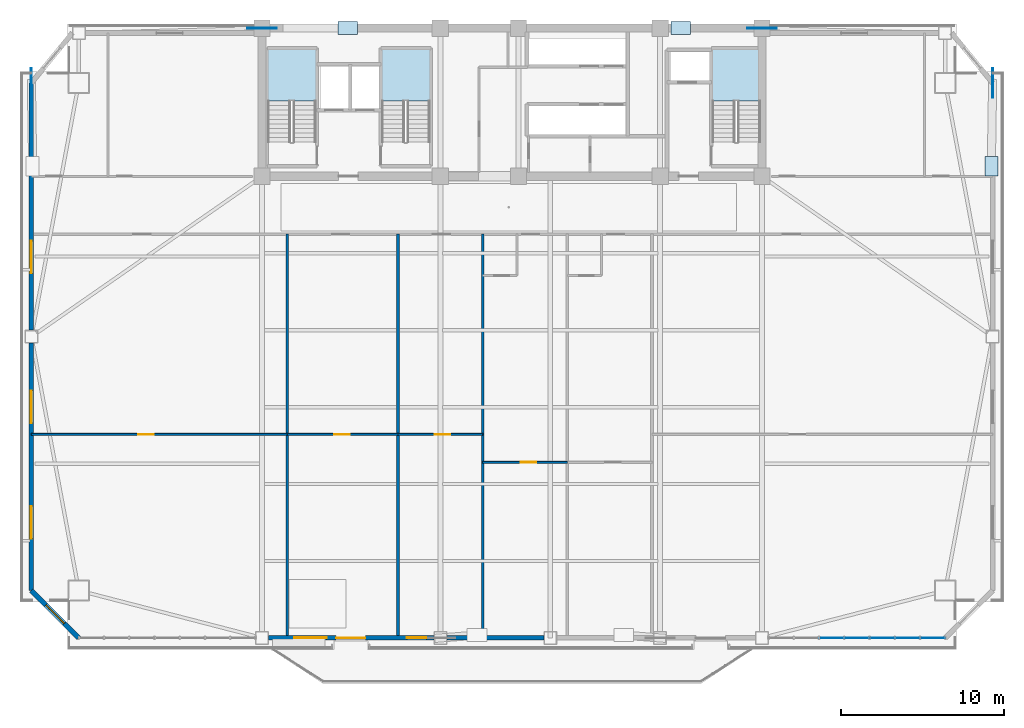
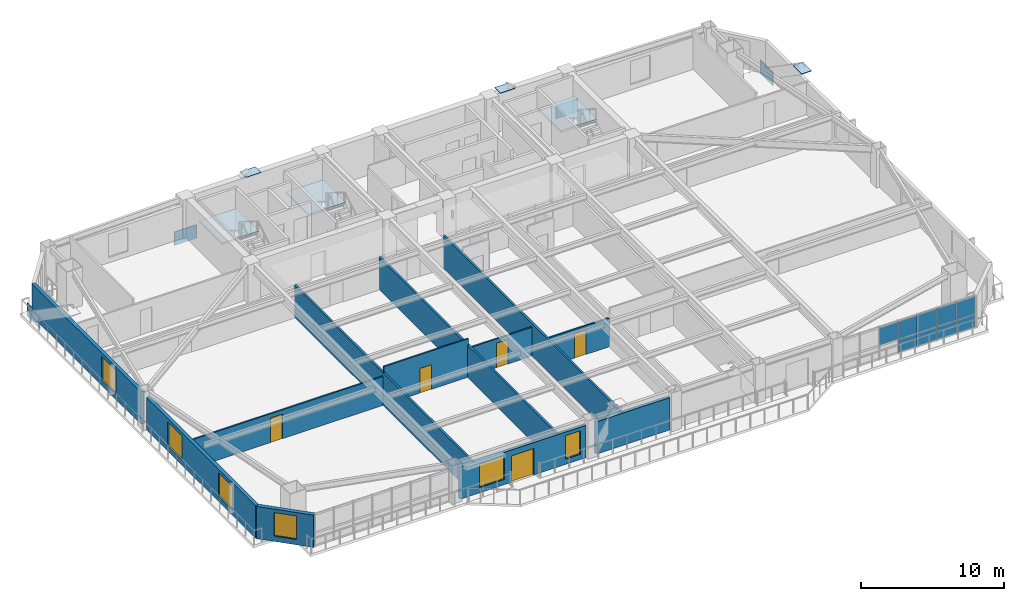
# One storey, part 7 of 16: 16 plates, 12 walls, 6 windows, 5 doors, 3 slabs, 11 openings, 4 elements without a shape of their own.
"""IFC4 building model written with IfcOpenShell, lengths in metres."""

from ifc_helpers import new_model, si_unit, direction, frame, frame_2d, origin, origin_2d, place, context, subcontext, project, spatial, polyline, rectangle, outline, extrude, source, transform, mapped, material, layer, layer_set, type_object, element, fill, aggregate, save


model = new_model("IFC4")

# Units and contexts
model_context = context("Model", 3, precision=1e-05, world=origin(), true_north=direction((0.0, 1.0)))
body_context = subcontext(model_context, "Body", "Model", "MODEL_VIEW")
ifc_project = project(units=[si_unit("LENGTHUNIT", "METRE"), si_unit("AREAUNIT", "SQUARE_METRE"), si_unit("VOLUMEUNIT", "CUBIC_METRE"), si_unit("PLANEANGLEUNIT", "RADIAN"), si_unit("MASSUNIT", "GRAM", prefix="KILO")], contexts=[model_context])

# Site, building, storey
site_placement = place(None, origin())
site = spatial("IfcSite", under=ifc_project, at=site_placement, CompositionType="ELEMENT")
building_placement = place(site_placement, origin())
building = spatial("IfcBuilding", under=site, at=building_placement, Name="Giltprow Tower", CompositionType="ELEMENT")
storey_placement = place(building_placement, frame((0.0, 0.0, 159.699951171875)))
storey = spatial("IfcBuildingStorey", under=building, at=storey_placement, Name="L39", CompositionType="ELEMENT", Elevation=159.699951171875)

# Stair, slab
ifc_material_1 = material(Name="Concrete C40", Category="concrete")
stair_type_1 = type_object("IfcStairType", Name="STR-ST-1", PredefinedType="HALF_TURN_STAIR", material=ifc_material_1)
stair_1_placement = place(storey_placement, origin())
stair_1 = element("IfcStair", 1, at=stair_1_placement, inside=storey, type_object=stair_type_1, Name="L39 Core Exit Stair ST-1", PredefinedType="HALF_TURN_STAIR")
ifc_layer_1 = layer(ifc_material_1, 0.179931640625, Name="Concrete C40")
ifc_layer_set_1 = layer_set([ifc_layer_1], Name="Concrete C40")
slab_type_1 = type_object("IfcSlabType", Name="SLD-ST-1", PredefinedType="LANDING", material=ifc_layer_set_1)
slab_1_placement = place(storey_placement, frame((0.0, 0.0, 1.570068359375)))
slab_1 = element("IfcSlab", 2, at=slab_1_placement, type_object=slab_type_1, Name="ST-1 landing 1", PredefinedType="LANDING", context=body_context, shape_type="SweptSolid", body=[
    extrude(outline(polyline([(23.159912109375, 42.070068359375), (23.159912109375, 45.25), (20.199951171875, 45.25), (20.199951171875, 42.070068359375), (23.159912109375, 42.070068359375)])), origin(), (0.0, 0.0, 1.0), 0.179931640625),
])
aggregate(stair_1, [slab_1])

stair_type_2 = type_object("IfcStairType", Name="STR-ST-2", PredefinedType="HALF_TURN_STAIR", material=ifc_material_1)
stair_2_placement = place(storey_placement, origin())
stair_2 = element("IfcStair", 3, at=stair_2_placement, inside=storey, type_object=stair_type_2, Name="L39 Core Exit Stair ST-2", PredefinedType="HALF_TURN_STAIR")
ifc_layer_2 = layer(ifc_material_1, 0.18798828125, Name="Concrete C40")
ifc_layer_set_2 = layer_set([ifc_layer_2], Name="Concrete C40")
slab_type_2 = type_object("IfcSlabType", Name="SLD-ST-2", PredefinedType="LANDING", material=ifc_layer_set_2)
slab_2_placement = place(storey_placement, frame((0.0, 0.0, 1.56201171875)))
slab_2 = element("IfcSlab", 4, at=slab_2_placement, type_object=slab_type_2, Name="ST-2 landing 1", PredefinedType="LANDING", context=body_context, shape_type="SweptSolid", body=[
    extrude(outline(polyline([(30.159912109375, 42.070068359375), (30.159912109375, 45.25), (27.199951171875, 45.25), (27.199951171875, 42.070068359375), (30.159912109375, 42.070068359375)])), origin(), (0.0, 0.0, 1.0), 0.18798828125),
])
aggregate(stair_2, [slab_2])

stair_type_3 = type_object("IfcStairType", Name="STR-ST-3", PredefinedType="HALF_TURN_STAIR", material=ifc_material_1)
stair_3_placement = place(storey_placement, origin())
stair_3 = element("IfcStair", 5, at=stair_3_placement, inside=storey, type_object=stair_type_3, Name="L39 Core Exit Stair ST-3", PredefinedType="HALF_TURN_STAIR")
ifc_layer_3 = layer(ifc_material_1, 0.196044921875, Name="Concrete C40")
ifc_layer_set_3 = layer_set([ifc_layer_3], Name="Concrete C40")
slab_type_3 = type_object("IfcSlabType", Name="SLD-ST-3", PredefinedType="LANDING", material=ifc_layer_set_3)
slab_3_placement = place(storey_placement, frame((0.0, 0.0, 1.553955078125)))
slab_3 = element("IfcSlab", 6, at=slab_3_placement, type_object=slab_type_3, Name="ST-3 landing 1", PredefinedType="LANDING", context=body_context, shape_type="SweptSolid", body=[
    extrude(outline(polyline([(50.4599609375, 42.070068359375), (50.4599609375, 45.25), (47.5, 45.25), (47.5, 42.070068359375), (50.4599609375, 42.070068359375)])), origin(), (0.0, 0.0, 1.0), 0.196044921875),
])
aggregate(stair_3, [slab_3])

# Plates
ifc_material_2 = material(Name="Structural steel Q420GJC", Category="steel")
plate_type_1 = type_object("IfcPlateType", Name="PLT-NODE-MBN1", PredefinedType="USERDEFINED", material=ifc_material_2)
shared_shape_1 = source(origin(), body_context, "Body", "SweptSolid", [
    extrude(rectangle(XDim=1.800048828125, YDim=0.050048828125, at=origin_2d()), origin(), (0.0, 0.0, 1.0), 1.14990234375),
])
for number, where, z_axis, x_axis, name in (
    (7, (19.85009765625, 46.550048828125, -0.71484375), (0.0, 0.0, 1.0), (1.0, 0.0, 0.0), "Mega-Brace Node L39-N-LA"),
    (8, (50.550048828125, 46.550048828125, -0.71484375), (0.0, 0.0, 1.0), (1.0, 0.0, 0.0), "Mega-Brace Node L39-N-RA"),
    (9, (5.68408203125, 43.18701171875, -0.574951171875), (0.0, 0.0, 1.0), (0.0, 1.0, 0.0), "Mega-Brace Node L39-W-RA"),
    (10, (64.716064453125, 43.18701171875, -0.574951171875), (0.0, 0.0, 1.0), (0.0, 1.0, 0.0), "Mega-Brace Node L39-E-RA"),
):
    element("IfcPlate", number, at=place(storey_placement, frame(where, z_axis=z_axis, x_axis=x_axis)), inside=storey, type_object=plate_type_1, Name=name, ObjectType="GUSSET", PredefinedType="USERDEFINED", context=body_context, shape_type="MappedRepresentation", body=[
        mapped(shared_shape_1, transform((0.0, 0.0, 0.0), x_axis=(1.0, 0.0, 0.0), y_axis=(0.0, 1.0, 0.0), z_axis=(0.0, 0.0, 1.0), scale=1.0)),
    ])
plate_type_2 = type_object("IfcPlateType", Name="PLT-CAP-SEAL", PredefinedType="USERDEFINED", material=ifc_material_2)
shared_shape_2 = source(origin(), body_context, "Body", "SweptSolid", [
    extrude(rectangle(XDim=1.199951171875, YDim=0.800048828125, at=origin_2d()), origin(), (0.0, 0.0, 1.0), 0.034912109375),
])
for number, where, z_axis, x_axis, name in (
    (11, (25.10009765625, 46.550048828125, 3.3427734375), (0.0, 0.0, 1.0), (1.0, 0.0, 0.0), "Mega-Brace Node L39-N-LB"),
    (12, (45.56689453125, 46.550048828125, 3.3427734375), (0.0, 0.0, 1.0), (1.0, 0.0, 0.0), "Mega-Brace Node L39-N-RB"),
    (13, (64.637939453125, 38.0791015625, 3.482421875), (0.0, 0.0, 1.0), (0.0, 1.0, 0.0), "Mega-Brace Node L39-E-RB"),
):
    element("IfcPlate", number, at=place(storey_placement, frame(where, z_axis=z_axis, x_axis=x_axis)), inside=storey, type_object=plate_type_2, Name=name, ObjectType="SPLICE", PredefinedType="USERDEFINED", context=body_context, shape_type="MappedRepresentation", body=[
        mapped(shared_shape_2, transform((0.0, 0.0, 0.0), x_axis=(1.0, 0.0, 0.0), y_axis=(0.0, 1.0, 0.0), z_axis=(0.0, 0.0, 1.0), scale=1.0)),
    ])

# Curtain wall, plates
ifc_material_3 = material(Name="Anodized bronze", Category="metal")
ifc_layer_4 = layer(ifc_material_3, 0.179931640625, Name="Anodized bronze")
ifc_layer_set_4 = layer_set([ifc_layer_4], Name="Anodized bronze")
curtain_wall_type = type_object("IfcCurtainWallType", Name="CW-HTL-BRONZE", PredefinedType="NOTDEFINED", material=ifc_layer_set_4)
curtain_wall_placement = place(storey_placement, origin())
curtain_wall = element("IfcCurtainWall", 14, at=curtain_wall_placement, inside=storey, type_object=curtain_wall_type, Name="L39 South Recessed Curtain Wall 6", PredefinedType="NOTDEFINED")
ifc_material_4 = material(Name="Insulated glass", Category="glass")
plate_type_3 = type_object("IfcPlateType", Name="CW-PANEL-IGU-28", PredefinedType="CURTAIN_PANEL", material=ifc_material_4)
shared_shape_3 = source(origin(), body_context, "Body", "SweptSolid", [
    extrude(rectangle(XDim=1.52001953125, YDim=0.028076171875, at=origin_2d()), origin(), (0.0, 0.0, 1.0), 1.0869140625),
])
plate_1_placement = place(storey_placement, frame((56.376953125, 9.097900390625, 0.0546875), z_axis=(0.0, 0.0, 1.0), x_axis=(1.0, 0.0, 0.0)))
plate_1 = element("IfcPlate", 15, at=plate_1_placement, type_object=plate_type_3, Name="L39 South Recessed Curtain Wall 6 Glazing Panel 4-1", PredefinedType="CURTAIN_PANEL", context=body_context, shape_type="MappedRepresentation", body=[
    mapped(shared_shape_3, transform((0.0, 0.0, 0.0), x_axis=(1.0, 0.0, 0.0), y_axis=(0.0, 1.0, 0.0), z_axis=(0.0, 0.0, 1.0), scale=1.0)),
])
plate_2_placement = place(storey_placement, frame((57.927001953125, 9.097900390625, 0.0546875), z_axis=(0.0, 0.0, 1.0), x_axis=(1.0, 0.0, 0.0)))
plate_2 = element("IfcPlate", 16, at=plate_2_placement, type_object=plate_type_3, Name="L39 South Recessed Curtain Wall 6 Glazing Panel 5-1", PredefinedType="CURTAIN_PANEL", context=body_context, shape_type="MappedRepresentation", body=[
    mapped(shared_shape_3, transform((0.0, 0.0, 0.0), x_axis=(1.0, 0.0, 0.0), y_axis=(0.0, 1.0, 0.0), z_axis=(0.0, 0.0, 1.0), scale=1.0)),
])
plate_3_placement = place(storey_placement, frame((59.47705078125, 9.097900390625, 0.0546875), z_axis=(0.0, 0.0, 1.0), x_axis=(1.0, 0.0, 0.0)))
plate_3 = element("IfcPlate", 17, at=plate_3_placement, type_object=plate_type_3, Name="L39 South Recessed Curtain Wall 6 Glazing Panel 6-1", PredefinedType="CURTAIN_PANEL", context=body_context, shape_type="MappedRepresentation", body=[
    mapped(shared_shape_3, transform((0.0, 0.0, 0.0), x_axis=(1.0, 0.0, 0.0), y_axis=(0.0, 1.0, 0.0), z_axis=(0.0, 0.0, 1.0), scale=1.0)),
])
plate_4_placement = place(storey_placement, frame((61.028076171875, 9.097900390625, 0.0546875), z_axis=(0.0, 0.0, 1.0), x_axis=(1.0, 0.0, 0.0)))
plate_4 = element("IfcPlate", 18, at=plate_4_placement, type_object=plate_type_3, Name="L39 South Recessed Curtain Wall 6 Glazing Panel 7-1", PredefinedType="CURTAIN_PANEL", context=body_context, shape_type="MappedRepresentation", body=[
    mapped(shared_shape_3, transform((0.0, 0.0, 0.0), x_axis=(1.0, 0.0, 0.0), y_axis=(0.0, 1.0, 0.0), z_axis=(0.0, 0.0, 1.0), scale=1.0)),
])
shared_shape_4 = source(origin(), body_context, "Body", "SweptSolid", [
    extrude(rectangle(XDim=1.52001953125, YDim=0.028076171875, at=origin_2d()), origin(), (0.0, 0.0, 1.0), 1.527099609375),
])
plate_5_placement = place(storey_placement, frame((54.825927734375, 9.097900390625, 1.16845703125), z_axis=(0.0, 0.0, 1.0), x_axis=(1.0, 0.0, 0.0)))
plate_5 = element("IfcPlate", 19, at=plate_5_placement, type_object=plate_type_3, Name="L39 South Recessed Curtain Wall 6 Glazing Panel 3-2", PredefinedType="CURTAIN_PANEL", context=body_context, shape_type="MappedRepresentation", body=[
    mapped(shared_shape_4, transform((0.0, 0.0, 0.0), x_axis=(1.0, 0.0, 0.0), y_axis=(0.0, 1.0, 0.0), z_axis=(0.0, 0.0, 1.0), scale=1.0)),
])
plate_6_placement = place(storey_placement, frame((56.376953125, 9.097900390625, 1.16845703125), z_axis=(0.0, 0.0, 1.0), x_axis=(1.0, 0.0, 0.0)))
plate_6 = element("IfcPlate", 20, at=plate_6_placement, type_object=plate_type_3, Name="L39 South Recessed Curtain Wall 6 Glazing Panel 4-2", PredefinedType="CURTAIN_PANEL", context=body_context, shape_type="MappedRepresentation", body=[
    mapped(shared_shape_4, transform((0.0, 0.0, 0.0), x_axis=(1.0, 0.0, 0.0), y_axis=(0.0, 1.0, 0.0), z_axis=(0.0, 0.0, 1.0), scale=1.0)),
])
plate_7_placement = place(storey_placement, frame((57.927001953125, 9.097900390625, 1.16845703125), z_axis=(0.0, 0.0, 1.0), x_axis=(1.0, 0.0, 0.0)))
plate_7 = element("IfcPlate", 21, at=plate_7_placement, type_object=plate_type_3, Name="L39 South Recessed Curtain Wall 6 Glazing Panel 5-2", PredefinedType="CURTAIN_PANEL", context=body_context, shape_type="MappedRepresentation", body=[
    mapped(shared_shape_4, transform((0.0, 0.0, 0.0), x_axis=(1.0, 0.0, 0.0), y_axis=(0.0, 1.0, 0.0), z_axis=(0.0, 0.0, 1.0), scale=1.0)),
])
plate_8_placement = place(storey_placement, frame((59.47705078125, 9.097900390625, 1.16845703125), z_axis=(0.0, 0.0, 1.0), x_axis=(1.0, 0.0, 0.0)))
plate_8 = element("IfcPlate", 22, at=plate_8_placement, type_object=plate_type_3, Name="L39 South Recessed Curtain Wall 6 Glazing Panel 6-2", PredefinedType="CURTAIN_PANEL", context=body_context, shape_type="MappedRepresentation", body=[
    mapped(shared_shape_4, transform((0.0, 0.0, 0.0), x_axis=(1.0, 0.0, 0.0), y_axis=(0.0, 1.0, 0.0), z_axis=(0.0, 0.0, 1.0), scale=1.0)),
])
plate_9_placement = place(storey_placement, frame((61.028076171875, 9.097900390625, 1.16845703125), z_axis=(0.0, 0.0, 1.0), x_axis=(1.0, 0.0, 0.0)))
plate_9 = element("IfcPlate", 23, at=plate_9_placement, type_object=plate_type_3, Name="L39 South Recessed Curtain Wall 6 Glazing Panel 7-2", PredefinedType="CURTAIN_PANEL", context=body_context, shape_type="MappedRepresentation", body=[
    mapped(shared_shape_4, transform((0.0, 0.0, 0.0), x_axis=(1.0, 0.0, 0.0), y_axis=(0.0, 1.0, 0.0), z_axis=(0.0, 0.0, 1.0), scale=1.0)),
])
aggregate(curtain_wall, [plate_5, plate_1, plate_6, plate_2, plate_7, plate_3, plate_8, plate_4, plate_9])

# Wall, opening, window
ifc_material_5 = material(Name="Precast concrete C40", Category="concrete")
ifc_layer_5 = layer(ifc_material_5, 0.300048828125, Name="Precast concrete C40")
ifc_layer_set_5 = layer_set([ifc_layer_5], Name="Precast concrete C40")
wall_type_1 = type_object("IfcWallType", Name="EW-NOTCH-CHAMFER-300", PredefinedType="SOLIDWALL", material=ifc_layer_set_5)
wall_1_placement = place(storey_placement, frame((5.68408203125, 12.010986328125, 0.0), z_axis=(0.0, 0.0, 1.0), x_axis=(0.707077148634, -0.707136412497, 0.0)))
wall_1 = element("IfcWall", 24, at=wall_1_placement, inside=storey, type_object=wall_type_1, Name="L39 Corner Notch Wall SW", PredefinedType="SOLIDWALL", context=body_context, shape_type="SweptSolid", body=[
    extrude(rectangle(XDim=4.11962890625, YDim=0.300048828125, at=frame_2d((2.059814453125, 0.0))), origin(), (0.0, 0.0, 1.0), 2.75),
])
opening_1_placement = place(wall_1_placement, frame((1.260009765625, 0.0, 0.449951171875)))
opening_1 = element("IfcOpeningElement", 25, at=opening_1_placement, cuts=wall_1, Name="Opening WN17", PredefinedType="OPENING", context=body_context, shape_type="SweptSolid", body=[
    extrude(rectangle(XDim=1.60009765625, YDim=2.0, at=frame_2d((0.800048828125, 1.0))), frame((0.0, 0.159912109375, 0.0), z_axis=(0.0, -1.0, 0.0), x_axis=(1.0, 0.0, 0.0)), (0.0, 0.0, 1.0), 0.320068359375),
])
window_type_1 = type_object("IfcWindowType", Name="WN-COR-1600x2000", PartitioningType="SINGLE_PANEL", PredefinedType="WINDOW", material=ifc_material_4)
shared_shape_5 = source(origin(), body_context, "Body", "SweptSolid", [
    extrude(rectangle(XDim=1.60009765625, YDim=2.0, at=frame_2d((0.800048828125, 1.0))), frame((0.0, 0.030029296875, 0.0), z_axis=(0.0, -1.0, 0.0), x_axis=(1.0, 0.0, 0.0)), (0.0, 0.0, 1.0), 0.06005859375),
])
window_1_placement = place(opening_1_placement, origin())
window_1 = element("IfcWindow", 26, at=window_1_placement, inside=storey, type_object=window_type_1, Name="L39 Corner Notch Window SW", OverallHeight=2.0, OverallWidth=1.60009765625, PartitioningType="SINGLE_PANEL", PredefinedType="WINDOW", context=body_context, shape_type="MappedRepresentation", body=[
    mapped(shared_shape_5, transform((0.0, 0.0, 0.0), x_axis=(1.0, 0.0, 0.0), y_axis=(0.0, 1.0, 0.0), z_axis=(0.0, 0.0, 1.0), scale=1.0)),
])
fill(opening_1, window_1)

# Wall, openings, door, windows
ifc_layer_6 = layer(ifc_material_5, 0.280029296875, Name="Precast concrete C40")
ifc_layer_set_6 = layer_set([ifc_layer_6], Name="Precast concrete C40")
wall_type_2 = type_object("IfcWallType", Name="EW-TOW-BRONZE-280", PredefinedType="SOLIDWALL", material=ifc_layer_set_6)
wall_2_placement = place(storey_placement, frame((20.25, 9.097900390625, 0.0), z_axis=(0.0, 0.0, 1.0), x_axis=(1.0, 0.0, 0.0)))
wall_2 = element("IfcWall", 27, at=wall_2_placement, inside=storey, type_object=wall_type_2, Name="L39 South Expressed Frame Wall 2", PredefinedType="SOLIDWALL", context=body_context, shape_type="SweptSolid", body=[
    extrude(rectangle(XDim=10.14990234375, YDim=0.280029296875, at=frame_2d((5.074951171875, 0.0))), origin(), (0.0, 0.0, 1.0), 2.75),
])
opening_2_placement = place(wall_2_placement, frame((4.14990234375, 0.0, 0.0)))
opening_2 = element("IfcOpeningElement", 28, at=opening_2_placement, cuts=wall_2, Name="Opening ED25", PredefinedType="OPENING", context=body_context, shape_type="SweptSolid", body=[
    extrude(rectangle(XDim=1.800048828125, YDim=2.25, at=frame_2d((0.89990234375, 1.125))), frame((0.0, 0.14990234375, 0.0), z_axis=(0.0, -1.0, 0.0), x_axis=(1.0, 0.0, 0.0)), (0.0, 0.0, 1.0), 0.300048828125),
])
opening_3_placement = place(wall_2_placement, frame((1.570068359375, 0.0, 0.449951171875)))
opening_3 = element("IfcOpeningElement", 29, at=opening_3_placement, cuts=wall_2, Name="Opening WN21", PredefinedType="OPENING", context=body_context, shape_type="SweptSolid", body=[
    extrude(rectangle(XDim=2.0, YDim=2.0, at=frame_2d((1.0, 1.0))), frame((0.0, 0.14990234375, 0.0), z_axis=(0.0, -1.0, 0.0), x_axis=(1.0, 0.0, 0.0)), (0.0, 0.0, 1.0), 0.300048828125),
])
opening_4_placement = place(wall_2_placement, frame((8.4951171875, 0.0, 0.449951171875)))
opening_4 = element("IfcOpeningElement", 30, at=opening_4_placement, cuts=wall_2, Name="Opening WN11", PredefinedType="OPENING", context=body_context, shape_type="SweptSolid", body=[
    extrude(rectangle(XDim=1.199951171875, YDim=2.0, at=frame_2d((0.60009765625, 1.0))), frame((0.0, 0.14990234375, 0.0), z_axis=(0.0, -1.0, 0.0), x_axis=(1.0, 0.0, 0.0)), (0.0, 0.0, 1.0), 0.300048828125),
])
ifc_material_6 = material(Name="Anodized bronze and glass", Category="glass")
door_type_1 = type_object("IfcDoorType", Name="DR-BALC-SLIDE-1800", OperationType="SLIDING_TO_LEFT", PredefinedType="DOOR", material=ifc_material_6)
shared_shape_6 = source(origin(), body_context, "Body", "SweptSolid", [
    extrude(rectangle(XDim=1.800048828125, YDim=2.25, at=frame_2d((0.89990234375, 1.125))), frame((0.0, 0.02490234375, 0.0), z_axis=(0.0, -1.0, 0.0), x_axis=(1.0, 0.0, 0.0)), (0.0, 0.0, 1.0), 0.050048828125),
])
door_1_placement = place(opening_2_placement, origin())
door_1 = element("IfcDoor", 31, at=door_1_placement, inside=storey, type_object=door_type_1, Name="L39 Waterfront Balcony Sliding Door 1", OperationType="SLIDING_TO_LEFT", OverallHeight=2.25, OverallWidth=1.800048828125, PredefinedType="DOOR", context=body_context, shape_type="MappedRepresentation", body=[
    mapped(shared_shape_6, transform((0.0, 0.0, 0.0), x_axis=(1.0, 0.0, 0.0), y_axis=(0.0, 1.0, 0.0), z_axis=(0.0, 0.0, 1.0), scale=1.0)),
])
fill(opening_2, door_1)
window_type_2 = type_object("IfcWindowType", Name="WN-LANCET-1200x2000", PartitioningType="SINGLE_PANEL", PredefinedType="WINDOW", material=ifc_material_4)
shared_shape_7 = source(origin(), body_context, "Body", "SweptSolid", [
    extrude(rectangle(XDim=1.199951171875, YDim=2.0, at=frame_2d((0.60009765625, 1.0))), frame((0.0, 0.030029296875, 0.0), z_axis=(0.0, -1.0, 0.0), x_axis=(1.0, 0.0, 0.0)), (0.0, 0.0, 1.0), 0.06005859375),
])
window_2_placement = place(opening_4_placement, origin())
window_2 = element("IfcWindow", 32, at=window_2_placement, inside=storey, type_object=window_type_2, Name="L39 South Window 2B", OverallHeight=2.0, OverallWidth=1.199951171875, PartitioningType="SINGLE_PANEL", PredefinedType="WINDOW", context=body_context, shape_type="MappedRepresentation", body=[
    mapped(shared_shape_7, transform((0.0, 0.0, 0.0), x_axis=(1.0, 0.0, 0.0), y_axis=(0.0, 1.0, 0.0), z_axis=(0.0, 0.0, 1.0), scale=1.0)),
])
fill(opening_4, window_2)
window_type_3 = type_object("IfcWindowType", Name="WN-HTL-2000x2000", PartitioningType="DOUBLE_PANEL_VERTICAL", PredefinedType="WINDOW", material=ifc_material_4)
shared_shape_8 = source(origin(), body_context, "Body", "SweptSolid", [
    extrude(rectangle(XDim=2.0, YDim=2.0, at=frame_2d((1.0, 1.0))), frame((0.0, 0.030029296875, 0.0), z_axis=(0.0, -1.0, 0.0), x_axis=(1.0, 0.0, 0.0)), (0.0, 0.0, 1.0), 0.06005859375),
])
window_3_placement = place(opening_3_placement, origin())
window_3 = element("IfcWindow", 33, at=window_3_placement, inside=storey, type_object=window_type_3, Name="L39 South Window 2A", OverallHeight=2.0, OverallWidth=2.0, PartitioningType="SINGLE_PANEL", PredefinedType="WINDOW", context=body_context, shape_type="MappedRepresentation", body=[
    mapped(shared_shape_8, transform((0.0, 0.0, 0.0), x_axis=(1.0, 0.0, 0.0), y_axis=(0.0, 1.0, 0.0), z_axis=(0.0, 0.0, 1.0), scale=1.0)),
])
fill(opening_3, window_3)

# Wall
wall_3_placement = place(storey_placement, frame((31.199951171875, 9.097900390625, 0.0), z_axis=(0.0, 0.0, 1.0), x_axis=(1.0, 0.0, 0.0)))
element("IfcWall", 34, at=wall_3_placement, inside=storey, type_object=wall_type_2, Name="L39 South Expressed Frame Wall 3", PredefinedType="SOLIDWALL", context=body_context, shape_type="SweptSolid", body=[
    extrude(rectangle(XDim=5.949951171875, YDim=0.280029296875, at=frame_2d((2.97509765625, 0.0))), origin(), (0.0, 0.0, 1.0), 2.75),
])

# Wall, openings, windows
wall_4_placement = place(storey_placement, frame((5.68408203125, 12.010986328125, 0.0), z_axis=(0.0, 0.0, 1.0), x_axis=(0.0, 1.0, 0.0)))
wall_4 = element("IfcWall", 35, at=wall_4_placement, inside=storey, type_object=wall_type_2, Name="L39 W Wing Masonry Wall 1", PredefinedType="SOLIDWALL", context=body_context, shape_type="SweptSolid", body=[
    extrude(rectangle(XDim=15.18798828125, YDim=0.280029296875, at=frame_2d((7.593994140625, 0.0))), origin(), (0.0, 0.0, 1.0), 2.75),
])
opening_5_placement = place(wall_4_placement, frame((3.18896484375, 0.0, 0.449951171875)))
opening_5 = element("IfcOpeningElement", 36, at=opening_5_placement, cuts=wall_4, Name="Opening WN21", PredefinedType="OPENING", context=body_context, shape_type="SweptSolid", body=[
    extrude(rectangle(XDim=2.0, YDim=2.0, at=frame_2d((1.0, 1.0))), frame((0.0, 0.14990234375, 0.0), z_axis=(0.0, -1.0, 0.0), x_axis=(1.0, 0.0, 0.0)), (0.0, 0.0, 1.0), 0.300048828125),
])
opening_6_placement = place(wall_4_placement, frame((10.282958984375, 0.0, 0.449951171875)))
opening_6 = element("IfcOpeningElement", 37, at=opening_6_placement, cuts=wall_4, Name="Opening WN21", PredefinedType="OPENING", context=body_context, shape_type="SweptSolid", body=[
    extrude(rectangle(XDim=2.0, YDim=2.0, at=frame_2d((1.0, 1.0))), frame((0.0, 0.14990234375, 0.0), z_axis=(0.0, -1.0, 0.0), x_axis=(1.0, 0.0, 0.0)), (0.0, 0.0, 1.0), 0.300048828125),
])
window_4_placement = place(opening_5_placement, origin())
window_4 = element("IfcWindow", 38, at=window_4_placement, inside=storey, type_object=window_type_3, Name="L39 W Wing Window 1-1A", OverallHeight=2.0, OverallWidth=2.0, PartitioningType="SINGLE_PANEL", PredefinedType="WINDOW", context=body_context, shape_type="MappedRepresentation", body=[
    mapped(shared_shape_8, transform((0.0, 0.0, 0.0), x_axis=(1.0, 0.0, 0.0), y_axis=(0.0, 1.0, 0.0), z_axis=(0.0, 0.0, 1.0), scale=1.0)),
])
fill(opening_5, window_4)
window_5_placement = place(opening_6_placement, origin())
window_5 = element("IfcWindow", 39, at=window_5_placement, inside=storey, type_object=window_type_3, Name="L39 W Wing Window 1-1B", OverallHeight=2.0, OverallWidth=2.0, PartitioningType="SINGLE_PANEL", PredefinedType="WINDOW", context=body_context, shape_type="MappedRepresentation", body=[
    mapped(shared_shape_8, transform((0.0, 0.0, 0.0), x_axis=(1.0, 0.0, 0.0), y_axis=(0.0, 1.0, 0.0), z_axis=(0.0, 0.0, 1.0), scale=1.0)),
])
fill(opening_6, window_5)

# Wall, opening, window
wall_5_placement = place(storey_placement, frame((5.68408203125, 27.9990234375, 0.0), z_axis=(0.0, 0.0, 1.0), x_axis=(0.0, 1.0, 0.0)))
wall_5 = element("IfcWall", 40, at=wall_5_placement, inside=storey, type_object=wall_type_2, Name="L39 W Wing Masonry Wall 2", PredefinedType="SOLIDWALL", context=body_context, shape_type="SweptSolid", body=[
    extrude(rectangle(XDim=15.18798828125, YDim=0.280029296875, at=frame_2d((7.593994140625, 0.0))), origin(), (0.0, 0.0, 1.0), 2.75),
])
opening_7_placement = place(wall_5_placement, frame((3.486083984375, 0.0, 0.449951171875)))
opening_7 = element("IfcOpeningElement", 41, at=opening_7_placement, cuts=wall_5, Name="Opening WN21", PredefinedType="OPENING", context=body_context, shape_type="SweptSolid", body=[
    extrude(rectangle(XDim=2.0, YDim=2.0, at=frame_2d((1.0, 1.0))), frame((0.0, 0.14990234375, 0.0), z_axis=(0.0, -1.0, 0.0), x_axis=(1.0, 0.0, 0.0)), (0.0, 0.0, 1.0), 0.300048828125),
])
window_6_placement = place(opening_7_placement, origin())
window_6 = element("IfcWindow", 42, at=window_6_placement, inside=storey, type_object=window_type_3, Name="L39 W Wing Window 2-1", OverallHeight=2.0, OverallWidth=2.0, PartitioningType="SINGLE_PANEL", PredefinedType="WINDOW", context=body_context, shape_type="MappedRepresentation", body=[
    mapped(shared_shape_8, transform((0.0, 0.0, 0.0), x_axis=(1.0, 0.0, 0.0), y_axis=(0.0, 1.0, 0.0), z_axis=(0.0, 0.0, 1.0), scale=1.0)),
])
fill(opening_7, window_6)

# Walls
ifc_material_7 = material(Name="Gypsum stud partition", Category="gypsum")
ifc_layer_7 = layer(ifc_material_7, 0.159912109375, Name="Gypsum stud partition")
ifc_layer_set_7 = layer_set([ifc_layer_7], Name="Gypsum stud partition")
wall_type_3 = type_object("IfcWallType", Name="IW-DEMISE-160", PredefinedType="PARTITIONING", material=ifc_layer_set_7)
for number, where, z_axis, x_axis, name in (
    (43, (21.39990234375, 9.097900390625, 0.0), (0.0, 0.0, 1.0), (0.0, 1.0, 0.0), "L39 Hotel Demising Wall 1"),
    (44, (28.199951171875, 9.097900390625, 0.0), (0.0, 0.0, 1.0), (0.0, 1.0, 0.0), "L39 Hotel Demising Wall 2"),
    (45, (33.39990234375, 9.097900390625, 0.0), (0.0, 0.0, 1.0), (0.0, 1.0, 0.0), "L39 Hotel Demising Wall 3"),
):
    element("IfcWall", number, at=place(storey_placement, frame(where, z_axis=z_axis, x_axis=x_axis)), inside=storey, type_object=wall_type_3, Name=name, PredefinedType="PARTITIONING", context=body_context, shape_type="SweptSolid", body=[
        extrude(rectangle(XDim=24.802001953125, YDim=0.159912109375, at=frame_2d((12.40087890625, 0.0))), origin(), (0.0, 0.0, 1.0), 2.755126953125),
    ])

# Wall, opening, door
ifc_layer_8 = layer(ifc_material_7, 0.1201171875, Name="Gypsum stud partition")
ifc_layer_set_8 = layer_set([ifc_layer_8], Name="Gypsum stud partition")
wall_type_4 = type_object("IfcWallType", Name="IW-ROOM-120", PredefinedType="PARTITIONING", material=ifc_layer_set_8)
wall_6_placement = place(storey_placement, frame((5.68408203125, 21.59912109375, 0.0), z_axis=(0.0, 0.0, 1.0), x_axis=(1.0, 0.0, 0.0)))
wall_6 = element("IfcWall", 46, at=wall_6_placement, inside=storey, type_object=wall_type_4, Name="L39 Amenity Mid Wall 1", PredefinedType="PARTITIONING", context=body_context, shape_type="SweptSolid", body=[
    extrude(rectangle(XDim=15.7158203125, YDim=0.1201171875, at=frame_2d((7.85791015625, 0.0))), origin(), (0.0, 0.0, 1.0), 2.455078125),
])
opening_8_placement = place(wall_6_placement, frame((6.572021484375, 0.0, 0.0)))
opening_8 = element("IfcOpeningElement", 47, at=opening_8_placement, cuts=wall_6, Name="Opening ID11", PredefinedType="OPENING", context=body_context, shape_type="SweptSolid", body=[
    extrude(rectangle(XDim=0.949951171875, YDim=2.10009765625, at=frame_2d((0.47509765625, 1.050048828125))), frame((0.0, 0.070068359375, 0.0), z_axis=(0.0, -1.0, 0.0), x_axis=(1.0, 0.0, 0.0)), (0.0, 0.0, 1.0), 0.14013671875),
])
ifc_material_8 = material(Name="Engineered timber", Category="wood")
door_type_2 = type_object("IfcDoorType", Name="DR-ROOM-950", OperationType="SINGLE_SWING_RIGHT", PredefinedType="DOOR", material=ifc_material_8)
shared_shape_9 = source(origin(), body_context, "Body", "SweptSolid", [
    extrude(rectangle(XDim=0.949951171875, YDim=2.10009765625, at=frame_2d((0.47509765625, 1.050048828125))), frame((0.0, 0.02490234375, 0.0), z_axis=(0.0, -1.0, 0.0), x_axis=(1.0, 0.0, 0.0)), (0.0, 0.0, 1.0), 0.050048828125),
])
door_2_placement = place(opening_8_placement, origin())
door_2 = element("IfcDoor", 48, at=door_2_placement, inside=storey, type_object=door_type_2, Name="L39 Hotel Management Office 1 Inner Door", OperationType="SINGLE_SWING_LEFT", OverallHeight=2.10009765625, OverallWidth=0.949951171875, PredefinedType="DOOR", context=body_context, shape_type="MappedRepresentation", body=[
    mapped(shared_shape_9, transform((0.0, 0.0, 0.0), x_axis=(1.0, 0.0, 0.0), y_axis=(0.0, 1.0, 0.0), z_axis=(0.0, 0.0, 1.0), scale=1.0)),
])
fill(opening_8, door_2)

wall_7_placement = place(storey_placement, frame((21.39990234375, 21.59912109375, 0.0), z_axis=(0.0, 0.0, 1.0), x_axis=(1.0, 0.0, 0.0)))
wall_7 = element("IfcWall", 49, at=wall_7_placement, inside=storey, type_object=wall_type_4, Name="L39 Amenity Mid Wall 2", PredefinedType="PARTITIONING", context=body_context, shape_type="SweptSolid", body=[
    extrude(rectangle(XDim=6.800048828125, YDim=0.1201171875, at=frame_2d((3.39990234375, 0.0))), origin(), (0.0, 0.0, 1.0), 3.27001953125),
])
opening_9_placement = place(wall_7_placement, frame((2.885986328125, 0.0, 0.0)))
opening_9 = element("IfcOpeningElement", 50, at=opening_9_placement, cuts=wall_7, Name="Opening ID11", PredefinedType="OPENING", context=body_context, shape_type="SweptSolid", body=[
    extrude(rectangle(XDim=0.949951171875, YDim=2.10009765625, at=frame_2d((0.47509765625, 1.050048828125))), frame((0.0, 0.070068359375, 0.0), z_axis=(0.0, -1.0, 0.0), x_axis=(1.0, 0.0, 0.0)), (0.0, 0.0, 1.0), 0.14013671875),
])
door_3_placement = place(opening_9_placement, origin())
door_3 = element("IfcDoor", 51, at=door_3_placement, inside=storey, type_object=door_type_2, Name="L39 Events Sales Office 2 Inner Door", OperationType="SINGLE_SWING_LEFT", OverallHeight=2.10009765625, OverallWidth=0.949951171875, PredefinedType="DOOR", context=body_context, shape_type="MappedRepresentation", body=[
    mapped(shared_shape_9, transform((0.0, 0.0, 0.0), x_axis=(1.0, 0.0, 0.0), y_axis=(0.0, 1.0, 0.0), z_axis=(0.0, 0.0, 1.0), scale=1.0)),
])
fill(opening_9, door_3)

wall_8_placement = place(storey_placement, frame((28.199951171875, 21.59912109375, 0.0), z_axis=(0.0, 0.0, 1.0), x_axis=(1.0, 0.0, 0.0)))
wall_8 = element("IfcWall", 52, at=wall_8_placement, inside=storey, type_object=wall_type_4, Name="L39 Amenity Mid Wall 3", PredefinedType="PARTITIONING", context=body_context, shape_type="SweptSolid", body=[
    extrude(rectangle(XDim=5.199951171875, YDim=0.1201171875, at=frame_2d((2.60009765625, 0.0))), origin(), (0.0, 0.0, 1.0), 2.455078125),
])
opening_10_placement = place(wall_8_placement, frame((2.24609375, 0.0, 0.0)))
opening_10 = element("IfcOpeningElement", 53, at=opening_10_placement, cuts=wall_8, Name="Opening ID11", PredefinedType="OPENING", context=body_context, shape_type="SweptSolid", body=[
    extrude(rectangle(XDim=0.949951171875, YDim=2.10009765625, at=frame_2d((0.47509765625, 1.050048828125))), frame((0.0, 0.070068359375, 0.0), z_axis=(0.0, -1.0, 0.0), x_axis=(1.0, 0.0, 0.0)), (0.0, 0.0, 1.0), 0.14013671875),
])
door_4_placement = place(opening_10_placement, origin())
door_4 = element("IfcDoor", 54, at=door_4_placement, inside=storey, type_object=door_type_2, Name="L39 Concierge Admin Office 3 Inner Door", OperationType="SINGLE_SWING_LEFT", OverallHeight=2.10009765625, OverallWidth=0.949951171875, PredefinedType="DOOR", context=body_context, shape_type="MappedRepresentation", body=[
    mapped(shared_shape_9, transform((0.0, 0.0, 0.0), x_axis=(1.0, 0.0, 0.0), y_axis=(0.0, 1.0, 0.0), z_axis=(0.0, 0.0, 1.0), scale=1.0)),
])
fill(opening_10, door_4)

wall_9_placement = place(storey_placement, frame((33.39990234375, 19.883056640625, 0.0), z_axis=(0.0, 0.0, 1.0), x_axis=(1.0, 0.0, 0.0)))
wall_9 = element("IfcWall", 55, at=wall_9_placement, inside=storey, type_object=wall_type_4, Name="L39 Suite Parlour Divider 4", PredefinedType="PARTITIONING", context=body_context, shape_type="SweptSolid", body=[
    extrude(rectangle(XDim=5.2001953125, YDim=0.1201171875, at=frame_2d((2.60009765625, 0.0))), origin(), (0.0, 0.0, 1.0), 2.455078125),
])
opening_11_placement = place(wall_9_placement, frame((2.324951171875, 0.0, 0.0)))
opening_11 = element("IfcOpeningElement", 56, at=opening_11_placement, cuts=wall_9, Name="Opening ID11", PredefinedType="OPENING", context=body_context, shape_type="SweptSolid", body=[
    extrude(rectangle(XDim=0.949951171875, YDim=2.10009765625, at=frame_2d((0.47509765625, 1.050048828125))), frame((0.0, 0.070068359375, 0.0), z_axis=(0.0, -1.0, 0.0), x_axis=(1.0, 0.0, 0.0)), (0.0, 0.0, 1.0), 0.14013671875),
])
door_5_placement = place(opening_11_placement, origin())
door_5 = element("IfcDoor", 57, at=door_5_placement, inside=storey, type_object=door_type_2, Name="L39 Harbour Parlour 4 Door", OperationType="SINGLE_SWING_RIGHT", OverallHeight=2.10009765625, OverallWidth=0.949951171875, PredefinedType="DOOR", context=body_context, shape_type="MappedRepresentation", body=[
    mapped(shared_shape_9, transform((0.0, 0.0, 0.0), x_axis=(1.0, 0.0, 0.0), y_axis=(0.0, 1.0, 0.0), z_axis=(0.0, 0.0, 1.0), scale=1.0)),
])
fill(opening_11, door_5)

save(model, "model.ifc")
